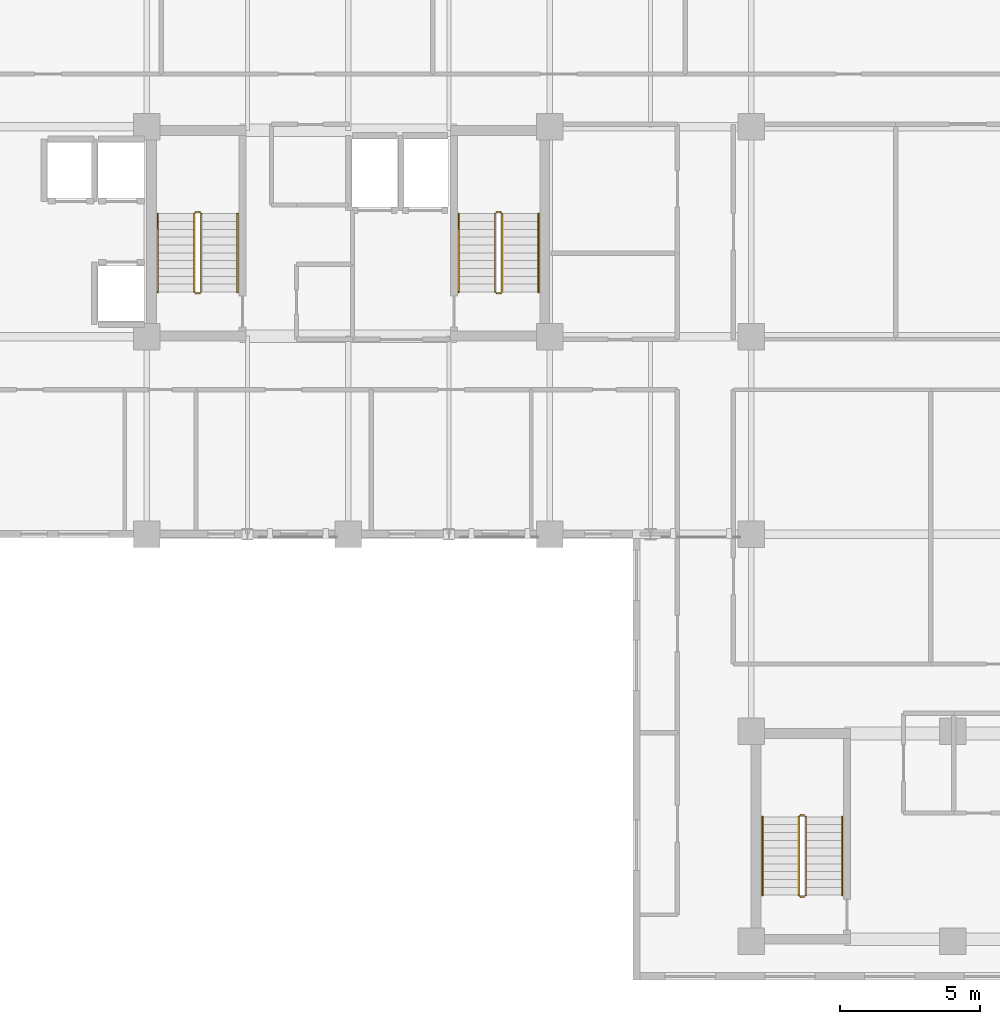
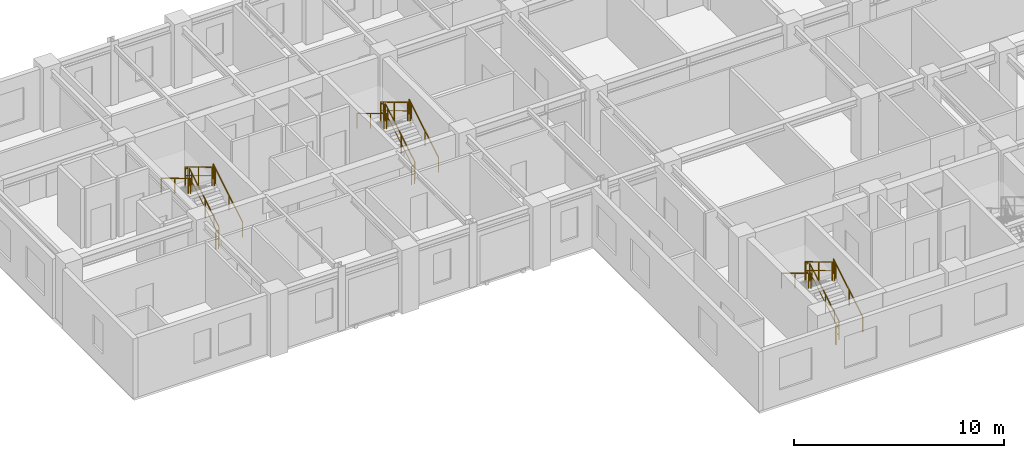
# One storey, part 11 of 13: 18 railings.
"""IFC4 building model written with IfcOpenShell, lengths in metres."""

from ifc_helpers import new_model, si_unit, direction, frame, origin, origin_2d, place, context, subcontext, project, spatial, rectangle, extrude, material, type_object, element, save


model = new_model("IFC4")

# Units and contexts
model_context = context("Model", 3, precision=1e-05, world=origin(), true_north=direction((0.0, 1.0)))
body_context = subcontext(model_context, "Body", "Model", "MODEL_VIEW")
ifc_project = project(units=[si_unit("LENGTHUNIT", "METRE"), si_unit("AREAUNIT", "SQUARE_METRE"), si_unit("VOLUMEUNIT", "CUBIC_METRE"), si_unit("PLANEANGLEUNIT", "RADIAN"), si_unit("MASSUNIT", "GRAM", prefix="KILO")], contexts=[model_context])

# Site, building, storey
site_placement = place(None, origin())
site = spatial("IfcSite", under=ifc_project, at=site_placement, CompositionType="ELEMENT")
building_placement = place(site_placement, origin())
building = spatial("IfcBuilding", under=site, at=building_placement, Name="Kaliganga Portal Commons", CompositionType="ELEMENT")
storey_placement = place(building_placement, frame((0.0, 0.0, 212.89990234375)))
storey = spatial("IfcBuildingStorey", under=building, at=storey_placement, Name="L54", CompositionType="ELEMENT", Elevation=212.89990234375)

# Railings
ifc_material_1 = material(Name="Galvanized Painted Steel Balustrade", Category="steel")
railing_type_1 = type_object("IfcRailingType", Name="RLG-STAIR-GRD", PredefinedType="GUARDRAIL", material=ifc_material_1)
railing_1_placement = place(storey_placement, frame((16.35009765625, 30.25, 0.168212890625)))
element("IfcRailing", 1, at=railing_1_placement, inside=storey, type_object=railing_type_1, Name="L54 ST-A1 stair guard 1", PredefinedType="GUARDRAIL", context=body_context, shape_type="SweptSolid", body=[
    extrude(rectangle(XDim=0.048095703125, YDim=0.048095703125, at=origin_2d()), frame((0.0, 0.0, 1.072021484375), z_axis=(0.0, 0.857242210791, 0.514913383045), x_axis=(-1.0, 0.0, 0.0)), (0.0, 0.0, 1.0), 3.266357421875),
    extrude(rectangle(XDim=0.028076171875, YDim=0.028076171875, at=origin_2d()), frame((0.0, 0.0, 0.572021484375), z_axis=(0.0, 0.857242210791, 0.514913383045), x_axis=(-1.0, 0.0, 0.0)), (0.0, 0.0, 1.0), 3.266357421875),
    extrude(rectangle(XDim=0.0419921875, YDim=0.0419921875, at=origin_2d()), origin(), (0.0, 0.0, 1.0), 1.052001953125),
    extrude(rectangle(XDim=0.0419921875, YDim=0.0419921875, at=origin_2d()), frame((0.0, 1.285888671875, 0.7724609375)), (0.0, 0.0, 1.0), 1.052001953125),
    extrude(rectangle(XDim=0.0419921875, YDim=0.0419921875, at=origin_2d()), frame((0.0, 2.57177734375, 1.544677734375)), (0.0, 0.0, 1.0), 1.052001953125),
    extrude(rectangle(XDim=0.0419921875, YDim=0.0419921875, at=origin_2d()), frame((0.0, 2.800048828125, 1.681884765625)), (0.0, 0.0, 1.0), 1.052001953125),
])
railing_2_placement = place(storey_placement, frame((16.300048828125, 33.10009765625, 1.85009765625)))
element("IfcRailing", 2, at=railing_2_placement, inside=storey, type_object=railing_type_1, Name="L54 ST-A1 stair guard 2", PredefinedType="GUARDRAIL", context=body_context, shape_type="SweptSolid", body=[
    extrude(rectangle(XDim=0.048095703125, YDim=0.048095703125, at=origin_2d()), frame((0.0, 0.0, 1.076171875), z_axis=(-1.0, 0.0, 0.0), x_axis=(0.0, -1.0, 0.0)), (0.0, 0.0, 1.0), 0.150146484375),
    extrude(rectangle(XDim=0.028076171875, YDim=0.028076171875, at=origin_2d()), frame((0.0, 0.0, 0.572021484375), z_axis=(-1.0, 0.0, 0.0), x_axis=(0.0, -1.0, 0.0)), (0.0, 0.0, 1.0), 0.150146484375),
    extrude(rectangle(XDim=0.0419921875, YDim=0.0419921875, at=origin_2d()), origin(), (0.0, 0.0, 1.0), 1.052001953125),
    extrude(rectangle(XDim=0.0419921875, YDim=0.0419921875, at=origin_2d()), frame((-0.150146484375, 0.0, 0.0)), (0.0, 0.0, 1.0), 1.052001953125),
])
railing_3_placement = place(storey_placement, frame((16.10009765625, 33.050048828125, 2.018310546875)))
element("IfcRailing", 3, at=railing_3_placement, inside=storey, type_object=railing_type_1, Name="L54 ST-A1 stair guard 3", PredefinedType="GUARDRAIL", context=body_context, shape_type="SweptSolid", body=[
    extrude(rectangle(XDim=0.048095703125, YDim=0.048095703125, at=origin_2d()), frame((0.0, 0.0, 1.072021484375), z_axis=(0.0, -0.857242210791, 0.514913383045), x_axis=(1.0, 0.0, 0.0)), (0.0, 0.0, 1.0), 3.266357421875),
    extrude(rectangle(XDim=0.028076171875, YDim=0.028076171875, at=origin_2d()), frame((0.0, 0.0, 0.572021484375), z_axis=(0.0, -0.857242210791, 0.514913383045), x_axis=(1.0, 0.0, 0.0)), (0.0, 0.0, 1.0), 3.266357421875),
    extrude(rectangle(XDim=0.0419921875, YDim=0.0419921875, at=origin_2d()), origin(), (0.0, 0.0, 1.0), 1.052001953125),
    extrude(rectangle(XDim=0.0419921875, YDim=0.0419921875, at=origin_2d()), frame((0.0, -1.285888671875, 0.7724609375)), (0.0, 0.0, 1.0), 1.052001953125),
    extrude(rectangle(XDim=0.0419921875, YDim=0.0419921875, at=origin_2d()), frame((0.0, -2.57177734375, 1.544677734375)), (0.0, 0.0, 1.0), 1.052001953125),
    extrude(rectangle(XDim=0.0419921875, YDim=0.0419921875, at=origin_2d()), frame((0.0, -2.800048828125, 1.681884765625)), (0.0, 0.0, 1.0), 1.052001953125),
])
railing_4_placement = place(storey_placement, frame((16.300048828125, 30.199951171875, 0.0)))
element("IfcRailing", 4, at=railing_4_placement, inside=storey, type_object=railing_type_1, Name="L54 ST-A1 stair guard 4", PredefinedType="GUARDRAIL", context=body_context, shape_type="SweptSolid", body=[
    extrude(rectangle(XDim=0.048095703125, YDim=0.048095703125, at=origin_2d()), frame((0.0, 0.0, 1.076171875), z_axis=(-1.0, 0.0, 0.0), x_axis=(0.0, -1.0, 0.0)), (0.0, 0.0, 1.0), 0.150146484375),
    extrude(rectangle(XDim=0.028076171875, YDim=0.028076171875, at=origin_2d()), frame((0.0, 0.0, 0.572021484375), z_axis=(-1.0, 0.0, 0.0), x_axis=(0.0, -1.0, 0.0)), (0.0, 0.0, 1.0), 0.150146484375),
    extrude(rectangle(XDim=0.0419921875, YDim=0.0419921875, at=origin_2d()), origin(), (0.0, 0.0, 1.0), 1.052001953125),
    extrude(rectangle(XDim=0.0419921875, YDim=0.0419921875, at=origin_2d()), frame((-0.150146484375, 0.0, 0.0)), (0.0, 0.0, 1.0), 1.052001953125),
])
railing_5_placement = place(storey_placement, frame((27.10009765625, 30.25, 0.168212890625)))
element("IfcRailing", 5, at=railing_5_placement, inside=storey, type_object=railing_type_1, Name="L54 ST-A2 stair guard 1", PredefinedType="GUARDRAIL", context=body_context, shape_type="SweptSolid", body=[
    extrude(rectangle(XDim=0.048095703125, YDim=0.048095703125, at=origin_2d()), frame((0.0, 0.0, 1.072021484375), z_axis=(0.0, 0.857242210791, 0.514913383045), x_axis=(-1.0, 0.0, 0.0)), (0.0, 0.0, 1.0), 3.266357421875),
    extrude(rectangle(XDim=0.028076171875, YDim=0.028076171875, at=origin_2d()), frame((0.0, 0.0, 0.572021484375), z_axis=(0.0, 0.857242210791, 0.514913383045), x_axis=(-1.0, 0.0, 0.0)), (0.0, 0.0, 1.0), 3.266357421875),
    extrude(rectangle(XDim=0.0419921875, YDim=0.0419921875, at=origin_2d()), origin(), (0.0, 0.0, 1.0), 1.052001953125),
    extrude(rectangle(XDim=0.0419921875, YDim=0.0419921875, at=origin_2d()), frame((0.0, 1.285888671875, 0.7724609375)), (0.0, 0.0, 1.0), 1.052001953125),
    extrude(rectangle(XDim=0.0419921875, YDim=0.0419921875, at=origin_2d()), frame((0.0, 2.57177734375, 1.544677734375)), (0.0, 0.0, 1.0), 1.052001953125),
    extrude(rectangle(XDim=0.0419921875, YDim=0.0419921875, at=origin_2d()), frame((0.0, 2.800048828125, 1.681884765625)), (0.0, 0.0, 1.0), 1.052001953125),
])
railing_6_placement = place(storey_placement, frame((27.050048828125, 33.10009765625, 1.85009765625)))
element("IfcRailing", 6, at=railing_6_placement, inside=storey, type_object=railing_type_1, Name="L54 ST-A2 stair guard 2", PredefinedType="GUARDRAIL", context=body_context, shape_type="SweptSolid", body=[
    extrude(rectangle(XDim=0.048095703125, YDim=0.048095703125, at=origin_2d()), frame((0.0, 0.0, 1.076171875), z_axis=(-1.0, 0.0, 0.0), x_axis=(0.0, -1.0, 0.0)), (0.0, 0.0, 1.0), 0.150146484375),
    extrude(rectangle(XDim=0.028076171875, YDim=0.028076171875, at=origin_2d()), frame((0.0, 0.0, 0.572021484375), z_axis=(-1.0, 0.0, 0.0), x_axis=(0.0, -1.0, 0.0)), (0.0, 0.0, 1.0), 0.150146484375),
    extrude(rectangle(XDim=0.0419921875, YDim=0.0419921875, at=origin_2d()), origin(), (0.0, 0.0, 1.0), 1.052001953125),
    extrude(rectangle(XDim=0.0419921875, YDim=0.0419921875, at=origin_2d()), frame((-0.150146484375, 0.0, 0.0)), (0.0, 0.0, 1.0), 1.052001953125),
])
railing_7_placement = place(storey_placement, frame((26.85009765625, 33.050048828125, 2.018310546875)))
element("IfcRailing", 7, at=railing_7_placement, inside=storey, type_object=railing_type_1, Name="L54 ST-A2 stair guard 3", PredefinedType="GUARDRAIL", context=body_context, shape_type="SweptSolid", body=[
    extrude(rectangle(XDim=0.048095703125, YDim=0.048095703125, at=origin_2d()), frame((0.0, 0.0, 1.072021484375), z_axis=(0.0, -0.857242210791, 0.514913383045), x_axis=(1.0, 0.0, 0.0)), (0.0, 0.0, 1.0), 3.266357421875),
    extrude(rectangle(XDim=0.028076171875, YDim=0.028076171875, at=origin_2d()), frame((0.0, 0.0, 0.572021484375), z_axis=(0.0, -0.857242210791, 0.514913383045), x_axis=(1.0, 0.0, 0.0)), (0.0, 0.0, 1.0), 3.266357421875),
    extrude(rectangle(XDim=0.0419921875, YDim=0.0419921875, at=origin_2d()), origin(), (0.0, 0.0, 1.0), 1.052001953125),
    extrude(rectangle(XDim=0.0419921875, YDim=0.0419921875, at=origin_2d()), frame((0.0, -1.285888671875, 0.7724609375)), (0.0, 0.0, 1.0), 1.052001953125),
    extrude(rectangle(XDim=0.0419921875, YDim=0.0419921875, at=origin_2d()), frame((0.0, -2.57177734375, 1.544677734375)), (0.0, 0.0, 1.0), 1.052001953125),
    extrude(rectangle(XDim=0.0419921875, YDim=0.0419921875, at=origin_2d()), frame((0.0, -2.800048828125, 1.681884765625)), (0.0, 0.0, 1.0), 1.052001953125),
])
railing_8_placement = place(storey_placement, frame((27.050048828125, 30.199951171875, 0.0)))
element("IfcRailing", 8, at=railing_8_placement, inside=storey, type_object=railing_type_1, Name="L54 ST-A2 stair guard 4", PredefinedType="GUARDRAIL", context=body_context, shape_type="SweptSolid", body=[
    extrude(rectangle(XDim=0.048095703125, YDim=0.048095703125, at=origin_2d()), frame((0.0, 0.0, 1.076171875), z_axis=(-1.0, 0.0, 0.0), x_axis=(0.0, -1.0, 0.0)), (0.0, 0.0, 1.0), 0.150146484375),
    extrude(rectangle(XDim=0.028076171875, YDim=0.028076171875, at=origin_2d()), frame((0.0, 0.0, 0.572021484375), z_axis=(-1.0, 0.0, 0.0), x_axis=(0.0, -1.0, 0.0)), (0.0, 0.0, 1.0), 0.150146484375),
    extrude(rectangle(XDim=0.0419921875, YDim=0.0419921875, at=origin_2d()), origin(), (0.0, 0.0, 1.0), 1.052001953125),
    extrude(rectangle(XDim=0.0419921875, YDim=0.0419921875, at=origin_2d()), frame((-0.150146484375, 0.0, 0.0)), (0.0, 0.0, 1.0), 1.052001953125),
])
railing_9_placement = place(storey_placement, frame((37.949951171875, 8.699951171875, 0.168212890625)))
element("IfcRailing", 9, at=railing_9_placement, inside=storey, type_object=railing_type_1, Name="L54 ST-B1 stair guard 1", PredefinedType="GUARDRAIL", context=body_context, shape_type="SweptSolid", body=[
    extrude(rectangle(XDim=0.048095703125, YDim=0.048095703125, at=origin_2d()), frame((0.0, 0.0, 1.072021484375), z_axis=(0.0, 0.857242210791, 0.514913383045), x_axis=(-1.0, 0.0, 0.0)), (0.0, 0.0, 1.0), 3.266357421875),
    extrude(rectangle(XDim=0.028076171875, YDim=0.028076171875, at=origin_2d()), frame((0.0, 0.0, 0.572021484375), z_axis=(0.0, 0.857242210791, 0.514913383045), x_axis=(-1.0, 0.0, 0.0)), (0.0, 0.0, 1.0), 3.266357421875),
    extrude(rectangle(XDim=0.0419921875, YDim=0.0419921875, at=origin_2d()), origin(), (0.0, 0.0, 1.0), 1.052001953125),
    extrude(rectangle(XDim=0.0419921875, YDim=0.0419921875, at=origin_2d()), frame((0.0, 1.285888671875, 0.7724609375)), (0.0, 0.0, 1.0), 1.052001953125),
    extrude(rectangle(XDim=0.0419921875, YDim=0.0419921875, at=origin_2d()), frame((0.0, 2.57177734375, 1.544677734375)), (0.0, 0.0, 1.0), 1.052001953125),
    extrude(rectangle(XDim=0.0419921875, YDim=0.0419921875, at=origin_2d()), frame((0.0, 2.800048828125, 1.681884765625)), (0.0, 0.0, 1.0), 1.052001953125),
])
railing_10_placement = place(storey_placement, frame((37.89990234375, 11.550048828125, 1.85009765625)))
element("IfcRailing", 10, at=railing_10_placement, inside=storey, type_object=railing_type_1, Name="L54 ST-B1 stair guard 2", PredefinedType="GUARDRAIL", context=body_context, shape_type="SweptSolid", body=[
    extrude(rectangle(XDim=0.048095703125, YDim=0.048095703125, at=origin_2d()), frame((0.0, 0.0, 1.076171875), z_axis=(-1.0, 0.0, 0.0), x_axis=(0.0, -1.0, 0.0)), (0.0, 0.0, 1.0), 0.14990234375),
    extrude(rectangle(XDim=0.028076171875, YDim=0.028076171875, at=origin_2d()), frame((0.0, 0.0, 0.572021484375), z_axis=(-1.0, 0.0, 0.0), x_axis=(0.0, -1.0, 0.0)), (0.0, 0.0, 1.0), 0.14990234375),
    extrude(rectangle(XDim=0.0419921875, YDim=0.0419921875, at=origin_2d()), frame((-0.14990234375, 0.0, 0.0)), (0.0, 0.0, 1.0), 1.052001953125),
])
railing_11_placement = place(storey_placement, frame((37.699951171875, 11.5, 2.018310546875)))
element("IfcRailing", 11, at=railing_11_placement, inside=storey, type_object=railing_type_1, Name="L54 ST-B1 stair guard 3", PredefinedType="GUARDRAIL", context=body_context, shape_type="SweptSolid", body=[
    extrude(rectangle(XDim=0.048095703125, YDim=0.048095703125, at=origin_2d()), frame((0.0, 0.0, 1.072021484375), z_axis=(0.0, -0.857242210791, 0.514913383045), x_axis=(1.0, 0.0, 0.0)), (0.0, 0.0, 1.0), 3.266357421875),
    extrude(rectangle(XDim=0.028076171875, YDim=0.028076171875, at=origin_2d()), frame((0.0, 0.0, 0.572021484375), z_axis=(0.0, -0.857242210791, 0.514913383045), x_axis=(1.0, 0.0, 0.0)), (0.0, 0.0, 1.0), 3.266357421875),
    extrude(rectangle(XDim=0.0419921875, YDim=0.0419921875, at=origin_2d()), origin(), (0.0, 0.0, 1.0), 1.052001953125),
    extrude(rectangle(XDim=0.0419921875, YDim=0.0419921875, at=origin_2d()), frame((0.0, -1.285888671875, 0.7724609375)), (0.0, 0.0, 1.0), 1.052001953125),
    extrude(rectangle(XDim=0.0419921875, YDim=0.0419921875, at=origin_2d()), frame((0.0, -2.57177734375, 1.544677734375)), (0.0, 0.0, 1.0), 1.052001953125),
    extrude(rectangle(XDim=0.0419921875, YDim=0.0419921875, at=origin_2d()), frame((0.0, -2.800048828125, 1.681884765625)), (0.0, 0.0, 1.0), 1.052001953125),
])
railing_12_placement = place(storey_placement, frame((37.89990234375, 8.64990234375, 0.0)))
element("IfcRailing", 12, at=railing_12_placement, inside=storey, type_object=railing_type_1, Name="L54 ST-B1 stair guard 4", PredefinedType="GUARDRAIL", context=body_context, shape_type="SweptSolid", body=[
    extrude(rectangle(XDim=0.048095703125, YDim=0.048095703125, at=origin_2d()), frame((0.0, 0.0, 1.076171875), z_axis=(-1.0, 0.0, 0.0), x_axis=(0.0, -1.0, 0.0)), (0.0, 0.0, 1.0), 0.14990234375),
    extrude(rectangle(XDim=0.028076171875, YDim=0.028076171875, at=origin_2d()), frame((0.0, 0.0, 0.572021484375), z_axis=(-1.0, 0.0, 0.0), x_axis=(0.0, -1.0, 0.0)), (0.0, 0.0, 1.0), 0.14990234375),
    extrude(rectangle(XDim=0.0419921875, YDim=0.0419921875, at=origin_2d()), frame((-0.14990234375, 0.0, 0.0)), (0.0, 0.0, 1.0), 1.052001953125),
])
ifc_material_2 = material(Name="Brushed Stainless Steel 316", Category="steel")
railing_type_2 = type_object("IfcRailingType", Name="RLG-STAIR-HR", PredefinedType="HANDRAIL", material=ifc_material_2)
railing_13_placement = place(storey_placement, frame((17.64990234375, 30.25, 0.168212890625)))
element("IfcRailing", 13, at=railing_13_placement, inside=storey, type_object=railing_type_2, Name="L54 ST-A1 stair handrail 1", PredefinedType="HANDRAIL", context=body_context, shape_type="SweptSolid", body=[
    extrude(rectangle(XDim=0.048095703125, YDim=0.048095703125, at=origin_2d()), frame((0.0, 0.0, 0.871826171875), z_axis=(0.0, 0.857242210791, 0.514913383045), x_axis=(-1.0, 0.0, 0.0)), (0.0, 0.0, 1.0), 3.266357421875),
    extrude(rectangle(XDim=0.0419921875, YDim=0.0419921875, at=origin_2d()), origin(), (0.0, 0.0, 1.0), 0.851806640625),
    extrude(rectangle(XDim=0.0419921875, YDim=0.0419921875, at=origin_2d()), frame((0.0, 1.285888671875, 0.7724609375)), (0.0, 0.0, 1.0), 0.851806640625),
    extrude(rectangle(XDim=0.0419921875, YDim=0.0419921875, at=origin_2d()), frame((0.0, 2.57177734375, 1.544677734375)), (0.0, 0.0, 1.0), 0.851806640625),
    extrude(rectangle(XDim=0.0419921875, YDim=0.0419921875, at=origin_2d()), frame((0.0, 2.800048828125, 1.681884765625)), (0.0, 0.0, 1.0), 0.851806640625),
])
railing_14_placement = place(storey_placement, frame((14.800048828125, 33.050048828125, 2.018310546875)))
element("IfcRailing", 14, at=railing_14_placement, inside=storey, type_object=railing_type_2, Name="L54 ST-A1 stair handrail 2", PredefinedType="HANDRAIL", context=body_context, shape_type="SweptSolid", body=[
    extrude(rectangle(XDim=0.048095703125, YDim=0.048095703125, at=origin_2d()), frame((0.0, 0.0, 0.871826171875), z_axis=(0.0, -0.857242210791, 0.514913383045), x_axis=(1.0, 0.0, 0.0)), (0.0, 0.0, 1.0), 3.266357421875),
    extrude(rectangle(XDim=0.0419921875, YDim=0.0419921875, at=origin_2d()), origin(), (0.0, 0.0, 1.0), 0.851806640625),
    extrude(rectangle(XDim=0.0419921875, YDim=0.0419921875, at=origin_2d()), frame((0.0, -1.285888671875, 0.7724609375)), (0.0, 0.0, 1.0), 0.851806640625),
    extrude(rectangle(XDim=0.0419921875, YDim=0.0419921875, at=origin_2d()), frame((0.0, -2.57177734375, 1.544677734375)), (0.0, 0.0, 1.0), 0.851806640625),
    extrude(rectangle(XDim=0.0419921875, YDim=0.0419921875, at=origin_2d()), frame((0.0, -2.800048828125, 1.681884765625)), (0.0, 0.0, 1.0), 0.851806640625),
])
railing_15_placement = place(storey_placement, frame((28.39990234375, 30.25, 0.168212890625)))
element("IfcRailing", 15, at=railing_15_placement, inside=storey, type_object=railing_type_2, Name="L54 ST-A2 stair handrail 1", PredefinedType="HANDRAIL", context=body_context, shape_type="SweptSolid", body=[
    extrude(rectangle(XDim=0.048095703125, YDim=0.048095703125, at=origin_2d()), frame((0.0, 0.0, 0.871826171875), z_axis=(0.0, 0.857242210791, 0.514913383045), x_axis=(-1.0, 0.0, 0.0)), (0.0, 0.0, 1.0), 3.266357421875),
    extrude(rectangle(XDim=0.0419921875, YDim=0.0419921875, at=origin_2d()), origin(), (0.0, 0.0, 1.0), 0.851806640625),
    extrude(rectangle(XDim=0.0419921875, YDim=0.0419921875, at=origin_2d()), frame((0.0, 1.285888671875, 0.7724609375)), (0.0, 0.0, 1.0), 0.851806640625),
    extrude(rectangle(XDim=0.0419921875, YDim=0.0419921875, at=origin_2d()), frame((0.0, 2.57177734375, 1.544677734375)), (0.0, 0.0, 1.0), 0.851806640625),
    extrude(rectangle(XDim=0.0419921875, YDim=0.0419921875, at=origin_2d()), frame((0.0, 2.800048828125, 1.681884765625)), (0.0, 0.0, 1.0), 0.851806640625),
])
railing_16_placement = place(storey_placement, frame((25.550048828125, 33.050048828125, 2.018310546875)))
element("IfcRailing", 16, at=railing_16_placement, inside=storey, type_object=railing_type_2, Name="L54 ST-A2 stair handrail 2", PredefinedType="HANDRAIL", context=body_context, shape_type="SweptSolid", body=[
    extrude(rectangle(XDim=0.048095703125, YDim=0.048095703125, at=origin_2d()), frame((0.0, 0.0, 0.871826171875), z_axis=(0.0, -0.857242210791, 0.514913383045), x_axis=(1.0, 0.0, 0.0)), (0.0, 0.0, 1.0), 3.266357421875),
    extrude(rectangle(XDim=0.0419921875, YDim=0.0419921875, at=origin_2d()), origin(), (0.0, 0.0, 1.0), 0.851806640625),
    extrude(rectangle(XDim=0.0419921875, YDim=0.0419921875, at=origin_2d()), frame((0.0, -1.285888671875, 0.7724609375)), (0.0, 0.0, 1.0), 0.851806640625),
    extrude(rectangle(XDim=0.0419921875, YDim=0.0419921875, at=origin_2d()), frame((0.0, -2.57177734375, 1.544677734375)), (0.0, 0.0, 1.0), 0.851806640625),
    extrude(rectangle(XDim=0.0419921875, YDim=0.0419921875, at=origin_2d()), frame((0.0, -2.800048828125, 1.681884765625)), (0.0, 0.0, 1.0), 0.851806640625),
])
railing_17_placement = place(storey_placement, frame((39.25, 8.699951171875, 0.168212890625)))
element("IfcRailing", 17, at=railing_17_placement, inside=storey, type_object=railing_type_2, Name="L54 ST-B1 stair handrail 1", PredefinedType="HANDRAIL", context=body_context, shape_type="SweptSolid", body=[
    extrude(rectangle(XDim=0.048095703125, YDim=0.048095703125, at=origin_2d()), frame((0.0, 0.0, 0.871826171875), z_axis=(0.0, 0.857242210791, 0.514913383045), x_axis=(-1.0, 0.0, 0.0)), (0.0, 0.0, 1.0), 3.266357421875),
    extrude(rectangle(XDim=0.0419921875, YDim=0.0419921875, at=origin_2d()), origin(), (0.0, 0.0, 1.0), 0.851806640625),
    extrude(rectangle(XDim=0.0419921875, YDim=0.0419921875, at=origin_2d()), frame((0.0, 1.285888671875, 0.7724609375)), (0.0, 0.0, 1.0), 0.851806640625),
    extrude(rectangle(XDim=0.0419921875, YDim=0.0419921875, at=origin_2d()), frame((0.0, 2.57177734375, 1.544677734375)), (0.0, 0.0, 1.0), 0.851806640625),
    extrude(rectangle(XDim=0.0419921875, YDim=0.0419921875, at=origin_2d()), frame((0.0, 2.800048828125, 1.681884765625)), (0.0, 0.0, 1.0), 0.851806640625),
])
railing_18_placement = place(storey_placement, frame((36.39990234375, 11.5, 2.018310546875)))
element("IfcRailing", 18, at=railing_18_placement, inside=storey, type_object=railing_type_2, Name="L54 ST-B1 stair handrail 2", PredefinedType="HANDRAIL", context=body_context, shape_type="SweptSolid", body=[
    extrude(rectangle(XDim=0.048095703125, YDim=0.048095703125, at=origin_2d()), frame((0.0, 0.0, 0.871826171875), z_axis=(0.0, -0.857242210791, 0.514913383045), x_axis=(1.0, 0.0, 0.0)), (0.0, 0.0, 1.0), 3.266357421875),
    extrude(rectangle(XDim=0.0419921875, YDim=0.0419921875, at=origin_2d()), origin(), (0.0, 0.0, 1.0), 0.851806640625),
    extrude(rectangle(XDim=0.0419921875, YDim=0.0419921875, at=origin_2d()), frame((0.0, -1.285888671875, 0.7724609375)), (0.0, 0.0, 1.0), 0.851806640625),
    extrude(rectangle(XDim=0.0419921875, YDim=0.0419921875, at=origin_2d()), frame((0.0, -2.57177734375, 1.544677734375)), (0.0, 0.0, 1.0), 0.851806640625),
    extrude(rectangle(XDim=0.0419921875, YDim=0.0419921875, at=origin_2d()), frame((0.0, -2.800048828125, 1.681884765625)), (0.0, 0.0, 1.0), 0.851806640625),
])

save(model, "model.ifc")
